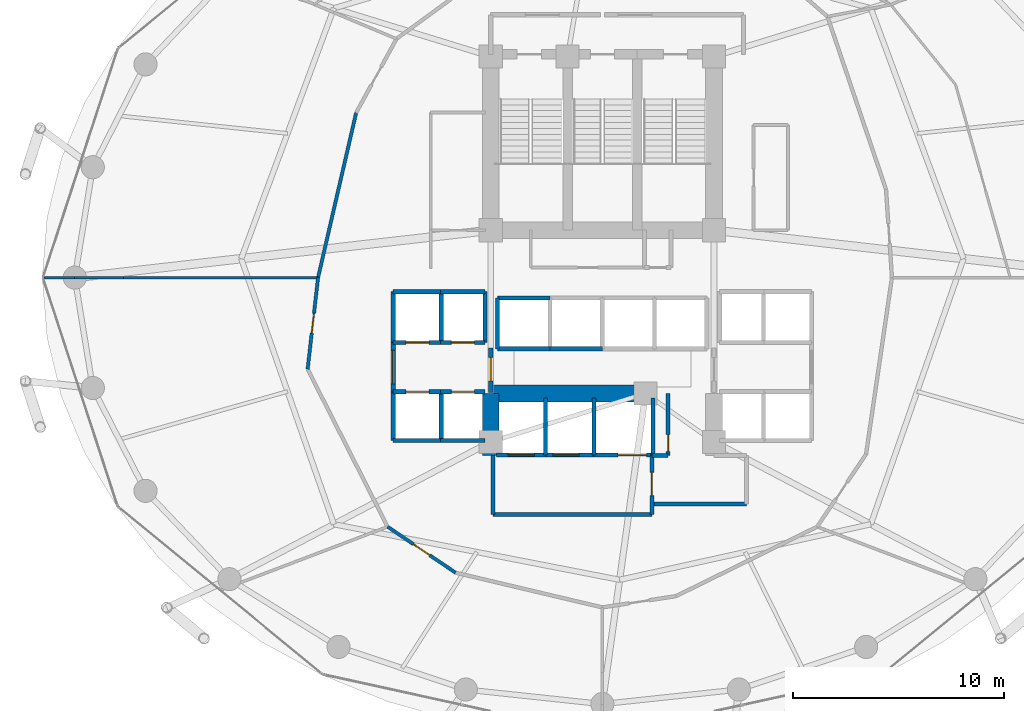
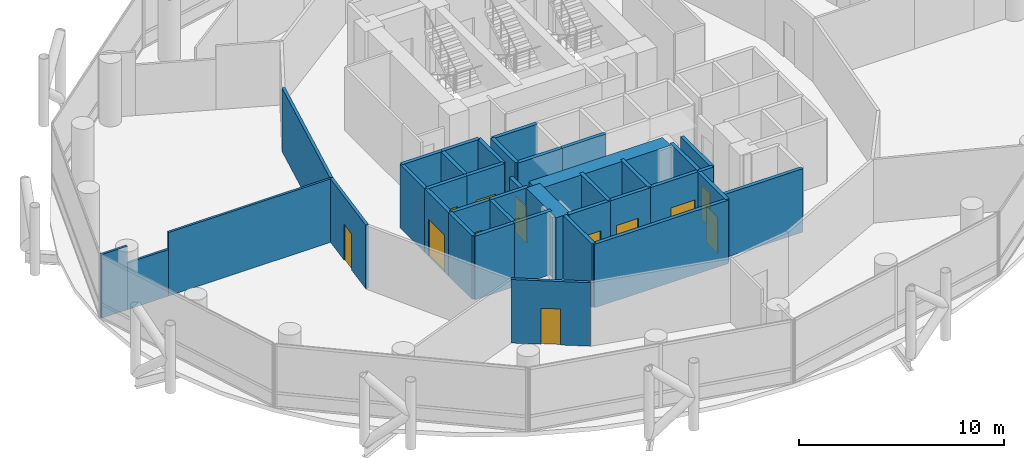
# One storey, part 21 of 25: 39 walls, 13 doors, 13 openings.
"""IFC4 building model written with IfcOpenShell, lengths in metres."""

from ifc_helpers import new_model, si_unit, direction, frame, frame_2d, origin, place, context, subcontext, project, spatial, rectangle, extrude, material, layer, layer_set, type_object, element, fill, save


model = new_model("IFC4")

# Units and contexts
model_context = context("Model", 3, precision=1e-05, world=origin(), true_north=direction((0.0, 1.0)))
body_context = subcontext(model_context, "Body", "Model", "MODEL_VIEW")
ifc_project = project(units=[si_unit("LENGTHUNIT", "METRE"), si_unit("AREAUNIT", "SQUARE_METRE"), si_unit("VOLUMEUNIT", "CUBIC_METRE"), si_unit("PLANEANGLEUNIT", "RADIAN"), si_unit("MASSUNIT", "GRAM", prefix="KILO")], contexts=[model_context])

# Site, building, storey
site_placement = place(None, origin())
site = spatial("IfcSite", under=ifc_project, at=site_placement, CompositionType="ELEMENT")
building_placement = place(site_placement, origin())
building = spatial("IfcBuilding", under=site, at=building_placement, Name="Nuhasar Tower", CompositionType="ELEMENT")
storey_placement = place(building_placement, frame((0.0, 0.0, 45.300048828125)))
storey = spatial("IfcBuildingStorey", under=building, at=storey_placement, Name="L10", CompositionType="ELEMENT", Elevation=45.300048828125)

# Walls
ifc_material_1 = material(Name="Concrete C80/95", Category="concrete")
ifc_layer_1 = layer(ifc_material_1, 0.800048828125)
ifc_layer_set_1 = layer_set([ifc_layer_1], Name="Concrete C80/95")
wall_type_1 = type_object("IfcWallType", Name="WL-CORE-800", PredefinedType="SHEAR", material=ifc_layer_set_1)
wall_1_placement = place(storey_placement, frame((33.699951171875, 18.35009765625, 0.0), z_axis=(0.0, 0.0, 1.0), x_axis=(0.0, 1.0, 0.0)))
element("IfcWall", 1, at=wall_1_placement, inside=storey, type_object=wall_type_1, Name="L10 Core Shear Wall CW-SW CW-800", PredefinedType="SHEAR", context=body_context, shape_type="SweptSolid", body=[
    extrude(rectangle(XDim=2.949951171875, YDim=0.800048828125, at=frame_2d((1.47509765625, 0.0))), origin(), (0.0, 0.0, 1.0), 3.7900390625),
])
wall_2_placement = place(storey_placement, frame((33.699951171875, 21.300048828125, 0.0), z_axis=(0.0, 0.0, 1.0), x_axis=(1.0, 0.0, 0.0)))
element("IfcWall", 2, at=wall_2_placement, inside=storey, type_object=wall_type_1, Name="L10 Core Shear Wall CW-S1 CW-800", PredefinedType="SHEAR", context=body_context, shape_type="SweptSolid", body=[
    extrude(rectangle(XDim=7.550048828125, YDim=0.800048828125, at=frame_2d((3.77490234375, 0.0))), origin(), (0.0, 0.0, 1.0), 3.7900390625),
])
ifc_material_2 = material(Name="Gypsum Board", Category="gypsum")
ifc_layer_2 = layer(ifc_material_2, 0.159912109375)
ifc_layer_set_2 = layer_set([ifc_layer_2], Name="Gypsum Board")
wall_type_2 = type_object("IfcWallType", Name="WL-CORR-160", PredefinedType="PARTITIONING", material=ifc_layer_set_2)
wall_3_placement = place(storey_placement, frame((27.30908203125, 34.6298828125, 0.0), z_axis=(0.0, 0.0, 1.0), x_axis=(-0.225119097915, -0.974331253606, 0.0)))
element("IfcWall", 3, at=wall_3_placement, inside=storey, type_object=wall_type_2, Name="L10 Interior Partition CORR-20", PredefinedType="PARTITIONING", context=body_context, shape_type="SweptSolid", body=[
    extrude(rectangle(XDim=8.0361328125, YDim=0.159912109375, at=frame_2d((4.01806640625, 0.0))), origin(), (0.0, 0.0, 1.0), 3.7900390625),
])

# Wall, opening, door
wall_4_placement = place(storey_placement, frame((25.0048828125, 22.449951171875, 0.0), z_axis=(0.0, 0.0, 1.0), x_axis=(0.113087354365, 0.993585049345, 0.0)))
wall_4 = element("IfcWall", 4, at=wall_4_placement, inside=storey, type_object=wall_type_2, Name="L10 Interior Partition CORR-24", PredefinedType="PARTITIONING", context=body_context, shape_type="SweptSolid", body=[
    extrude(rectangle(XDim=4.378173828125, YDim=0.159912109375, at=frame_2d((2.18896484375, 0.0))), origin(), (0.0, 0.0, 1.0), 3.7900390625),
])
opening_1_placement = place(wall_4_placement, frame((1.714111328125, 0.0, 0.0)))
opening_1 = element("IfcOpeningElement", 5, at=opening_1_placement, cuts=wall_4, Name="Opening DO-01", PredefinedType="OPENING", context=body_context, shape_type="SweptSolid", body=[
    extrude(rectangle(XDim=0.949951171875, YDim=2.14990234375, at=frame_2d((0.47509765625, 1.074951171875))), frame((0.0, 0.08984375, 0.0), z_axis=(0.0, -1.0, 0.0), x_axis=(1.0, 0.0, 0.0)), (0.0, 0.0, 1.0), 0.179931640625),
])
ifc_material_3 = material(Name="Timber Oak", Category="wood")
door_type_1 = type_object("IfcDoorType", Name="DR-OFFICE-FD30-950", OperationType="NOTDEFINED", PredefinedType="DOOR", material=ifc_material_3)
door_1_placement = place(opening_1_placement, origin())
door_1 = element("IfcDoor", 6, at=door_1_placement, inside=storey, type_object=door_type_1, Name="L10 Law Reference Library Entry Door", OperationType="SINGLE_SWING_LEFT", OverallHeight=2.14990234375, OverallWidth=0.949951171875, PredefinedType="DOOR", context=body_context, shape_type="SweptSolid", body=[
    extrude(rectangle(XDim=0.949951171875, YDim=2.14990234375, at=frame_2d((0.47509765625, 1.074951171875))), frame((0.0, 0.02490234375, 0.0), z_axis=(0.0, -1.0, 0.0), x_axis=(1.0, 0.0, 0.0)), (0.0, 0.0, 1.0), 0.050048828125),
])
fill(opening_1, door_1)

wall_5_placement = place(storey_placement, frame((32.027099609375, 12.7900390625, 0.0), z_axis=(0.0, 0.0, 1.0), x_axis=(-0.828570886609, 0.559884171828, 0.0)))
wall_5 = element("IfcWall", 7, at=wall_5_placement, inside=storey, type_object=wall_type_2, Name="L10 Interior Partition CORR-30", PredefinedType="PARTITIONING", context=body_context, shape_type="SweptSolid", body=[
    extrude(rectangle(XDim=3.8935546875, YDim=0.159912109375, at=frame_2d((1.94677734375, 0.0))), origin(), (0.0, 0.0, 1.0), 3.7900390625),
])
opening_2_placement = place(wall_5_placement, frame((1.471923828125, 0.0, 0.0)))
opening_2 = element("IfcOpeningElement", 8, at=opening_2_placement, cuts=wall_5, Name="Opening DO-01", PredefinedType="OPENING", context=body_context, shape_type="SweptSolid", body=[
    extrude(rectangle(XDim=0.949951171875, YDim=2.14990234375, at=frame_2d((0.47509765625, 1.074951171875))), frame((0.0, 0.08984375, 0.0), z_axis=(0.0, -1.0, 0.0), x_axis=(1.0, 0.0, 0.0)), (0.0, 0.0, 1.0), 0.179931640625),
])
door_2_placement = place(opening_2_placement, origin())
door_2 = element("IfcDoor", 9, at=door_2_placement, inside=storey, type_object=door_type_1, Name="L10 Legal Chambers C Entry Door", OperationType="SINGLE_SWING_LEFT", OverallHeight=2.14990234375, OverallWidth=0.949951171875, PredefinedType="DOOR", context=body_context, shape_type="SweptSolid", body=[
    extrude(rectangle(XDim=0.949951171875, YDim=2.14990234375, at=frame_2d((0.47509765625, 1.074951171875))), frame((0.0, 0.02490234375, 0.0), z_axis=(0.0, -1.0, 0.0), x_axis=(1.0, 0.0, 0.0)), (0.0, 0.0, 1.0), 0.050048828125),
])
fill(opening_2, door_2)

ifc_material_4 = material(Name="Concrete C45/55", Category="concrete")
ifc_layer_3 = layer(ifc_material_4, 0.199951171875)
ifc_layer_set_3 = layer_set([ifc_layer_3], Name="Concrete C45/55")
wall_type_3 = type_object("IfcWallType", Name="WL-LOBBY-200", PredefinedType="SOLIDWALL", material=ifc_layer_set_3)
wall_6_placement = place(storey_placement, frame((29.070068359375, 21.3798828125, 0.0), z_axis=(0.0, 0.0, 1.0), x_axis=(0.0, 1.0, 0.0)))
wall_6 = element("IfcWall", 10, at=wall_6_placement, inside=storey, type_object=wall_type_3, Name="L10 Interior Partition LLBL-W", PredefinedType="SOLIDWALL", context=body_context, shape_type="SweptSolid", body=[
    extrude(rectangle(XDim=2.340087890625, YDim=0.199951171875, at=frame_2d((1.169921875, 0.0))), origin(), (0.0, 0.0, 1.0), 3.7900390625),
])
opening_3_placement = place(wall_6_placement, frame((0.3701171875, 0.0, 0.0)))
opening_3 = element("IfcOpeningElement", 11, at=opening_3_placement, cuts=wall_6, Name="Opening DC-01", PredefinedType="OPENING", context=body_context, shape_type="SweptSolid", body=[
    extrude(rectangle(XDim=1.60009765625, YDim=2.199951171875, at=frame_2d((0.800048828125, 1.10009765625))), frame((0.0, 0.10986328125, 0.0), z_axis=(0.0, -1.0, 0.0), x_axis=(1.0, 0.0, 0.0)), (0.0, 0.0, 1.0), 0.219970703125),
])
ifc_material_5 = material(Name="Steel S355", Category="steel")
door_type_2 = type_object("IfcDoorType", Name="DR-CORR-FD60-1600", OperationType="DOUBLE_DOOR_SINGLE_SWING", PredefinedType="DOOR", material=ifc_material_5)
door_3_placement = place(opening_3_placement, origin())
door_3 = element("IfcDoor", 12, at=door_3_placement, inside=storey, type_object=door_type_2, Name="L10 Low-Rise Lift Lobby West Entry", OperationType="DOUBLE_DOOR_SINGLE_SWING", OverallHeight=2.199951171875, OverallWidth=1.60009765625, PredefinedType="DOOR", context=body_context, shape_type="SweptSolid", body=[
    extrude(rectangle(XDim=1.60009765625, YDim=2.199951171875, at=frame_2d((0.800048828125, 1.10009765625))), frame((0.0, 0.02490234375, 0.0), z_axis=(0.0, -1.0, 0.0), x_axis=(1.0, 0.0, 0.0)), (0.0, 0.0, 1.0), 0.050048828125),
])
fill(opening_3, door_3)

wall_7_placement = place(storey_placement, frame((33.699951171875, 21.35009765625, 0.0), z_axis=(0.0, 0.0, 1.0), x_axis=(0.0, 1.0, 0.0)))
wall_7 = element("IfcWall", 13, at=wall_7_placement, inside=storey, type_object=wall_type_3, Name="L10 Interior Partition LLBH-W", PredefinedType="SOLIDWALL", context=body_context, shape_type="SweptSolid", body=[
    extrude(rectangle(XDim=2.099853515625, YDim=0.199951171875, at=frame_2d((1.0498046875, 0.0))), origin(), (0.0, 0.0, 1.0), 3.010009765625),
])
opening_4_placement = place(wall_7_placement, frame((0.550048828125, 0.0, 0.0)))
opening_4 = element("IfcOpeningElement", 14, at=opening_4_placement, cuts=wall_7, Name="Opening DS-02", PredefinedType="OPENING", context=body_context, shape_type="SweptSolid", body=[
    extrude(rectangle(XDim=1.10009765625, YDim=2.14990234375, at=frame_2d((0.550048828125, 1.074951171875))), frame((0.0, 0.10986328125, 0.0), z_axis=(0.0, -1.0, 0.0), x_axis=(1.0, 0.0, 0.0)), (0.0, 0.0, 1.0), 0.219970703125),
])
door_type_3 = type_object("IfcDoorType", Name="DR-FFL-FD120-1100", OperationType="NOTDEFINED", PredefinedType="DOOR", material=ifc_material_5)
door_4_placement = place(opening_4_placement, origin())
door_4 = element("IfcDoor", 15, at=door_4_placement, inside=storey, type_object=door_type_3, Name="L10 High-Rise Lobby West Door", OperationType="SINGLE_SWING_RIGHT", OverallHeight=2.14990234375, OverallWidth=1.10009765625, PredefinedType="DOOR", context=body_context, shape_type="SweptSolid", body=[
    extrude(rectangle(XDim=1.10009765625, YDim=2.14990234375, at=frame_2d((0.550048828125, 1.074951171875))), frame((0.0, 0.02490234375, 0.0), z_axis=(0.0, -1.0, 0.0), x_axis=(1.0, 0.0, 0.0)), (0.0, 0.0, 1.0), 0.050048828125),
])
fill(opening_4, door_4)

# Walls
wall_8_placement = place(storey_placement, frame((33.800048828125, 15.550048828125, 0.0), z_axis=(0.0, 0.0, 1.0), x_axis=(1.0, 0.0, 0.0)))
element("IfcWall", 16, at=wall_8_placement, inside=storey, type_object=wall_type_3, Name="L10 Interior Partition FFL-S", PredefinedType="SOLIDWALL", context=body_context, shape_type="SweptSolid", body=[
    extrude(rectangle(XDim=7.550048828125, YDim=0.199951171875, at=frame_2d((3.77490234375, 0.0))), origin(), (0.0, 0.0, 1.0), 3.7900390625),
])
wall_9_placement = place(storey_placement, frame((33.800048828125, 15.550048828125, 0.0), z_axis=(0.0, 0.0, 1.0), x_axis=(0.0, 1.0, 0.0)))
element("IfcWall", 17, at=wall_9_placement, inside=storey, type_object=wall_type_3, Name="L10 Interior Partition FFL-W", PredefinedType="SOLIDWALL", context=body_context, shape_type="SweptSolid", body=[
    extrude(rectangle(XDim=2.800048828125, YDim=0.199951171875, at=frame_2d((1.39990234375, 0.0))), origin(), (0.0, 0.0, 1.0), 3.7900390625),
])

# Wall, opening, door
wall_10_placement = place(storey_placement, frame((41.35009765625, 15.550048828125, 0.0), z_axis=(0.0, 0.0, 1.0), x_axis=(0.0, 1.0, 0.0)))
wall_10 = element("IfcWall", 18, at=wall_10_placement, inside=storey, type_object=wall_type_3, Name="L10 Interior Partition FFL-E", PredefinedType="SOLIDWALL", context=body_context, shape_type="SweptSolid", body=[
    extrude(rectangle(XDim=2.800048828125, YDim=0.199951171875, at=frame_2d((1.39990234375, 0.0))), origin(), (0.0, 0.0, 1.0), 3.7900390625),
])
opening_5_placement = place(wall_10_placement, frame((0.89990234375, 0.0, 0.0)))
opening_5 = element("IfcOpeningElement", 19, at=opening_5_placement, cuts=wall_10, Name="Opening DS-02", PredefinedType="OPENING", context=body_context, shape_type="SweptSolid", body=[
    extrude(rectangle(XDim=1.10009765625, YDim=2.14990234375, at=frame_2d((0.550048828125, 1.074951171875))), frame((0.0, 0.10986328125, 0.0), z_axis=(0.0, -1.0, 0.0), x_axis=(1.0, 0.0, 0.0)), (0.0, 0.0, 1.0), 0.219970703125),
])
door_5_placement = place(opening_5_placement, origin())
door_5 = element("IfcDoor", 20, at=door_5_placement, inside=storey, type_object=door_type_3, Name="L10 Firefighting Lobby Door", OperationType="SINGLE_SWING_RIGHT", OverallHeight=2.14990234375, OverallWidth=1.10009765625, PredefinedType="DOOR", context=body_context, shape_type="SweptSolid", body=[
    extrude(rectangle(XDim=1.10009765625, YDim=2.14990234375, at=frame_2d((0.550048828125, 1.074951171875))), frame((0.0, 0.02490234375, 0.0), z_axis=(0.0, -1.0, 0.0), x_axis=(1.0, 0.0, 0.0)), (0.0, 0.0, 1.0), 0.050048828125),
])
fill(opening_5, door_5)

# Walls
wall_11_placement = place(storey_placement, frame((41.35009765625, 16.050048828125, 0.0), z_axis=(0.0, 0.0, 1.0), x_axis=(1.0, 0.0, 0.0)))
element("IfcWall", 21, at=wall_11_placement, inside=storey, type_object=wall_type_3, Name="L10 Interior Partition SVLV-S", PredefinedType="SOLIDWALL", context=body_context, shape_type="SweptSolid", body=[
    extrude(rectangle(XDim=4.5, YDim=0.199951171875, at=frame_2d((2.25, 0.0))), origin(), (0.0, 0.0, 1.0), 3.7900390625),
])
ifc_layer_4 = layer(ifc_material_2, 0.125)
ifc_layer_set_4 = layer_set([ifc_layer_4], Name="Gypsum Board")
wall_type_4 = type_object("IfcWallType", Name="WL-PART-125", PredefinedType="PARTITIONING", material=ifc_layer_set_4)
wall_12_placement = place(storey_placement, frame((25.5, 26.800048828125, 0.0), z_axis=(0.0, 0.0, 1.0), x_axis=(-1.0, 0.0, 0.0)))
element("IfcWall", 22, at=wall_12_placement, inside=storey, type_object=wall_type_4, Name="L10 Interior Partition ORAD-24", PredefinedType="PARTITIONING", context=body_context, shape_type="SweptSolid", body=[
    extrude(rectangle(XDim=9.22998046875, YDim=0.125, at=frame_2d((4.614990234375, 0.0))), origin(), (0.0, 0.0, 1.0), 3.7900390625),
])
wall_13_placement = place(storey_placement, frame((16.27001953125, 26.800048828125, 0.0), z_axis=(0.0, 0.0, 1.0), x_axis=(-1.0, 0.0, 0.0)))
element("IfcWall", 23, at=wall_13_placement, inside=storey, type_object=wall_type_4, Name="L10 Interior Partition ORAD-24", PredefinedType="PARTITIONING", context=body_context, shape_type="SweptSolid", body=[
    extrude(rectangle(XDim=2.326904296875, YDim=0.125, at=frame_2d((1.16357421875, 0.0))), origin(), (0.0, 0.0, 1.0), 2.780029296875),
])
wall_14_placement = place(storey_placement, frame((13.943115234375, 26.800048828125, 0.0), z_axis=(0.0, 0.0, 1.0), x_axis=(-1.0, 0.0, 0.0)))
element("IfcWall", 24, at=wall_14_placement, inside=storey, type_object=wall_type_4, Name="L10 Interior Partition ORAD-24", PredefinedType="PARTITIONING", context=body_context, shape_type="SweptSolid", body=[
    extrude(rectangle(XDim=1.468017578125, YDim=0.125, at=frame_2d((0.73388671875, 0.0))), origin(), (0.0, 0.0, 1.0), 3.7900390625),
])

# Wall, opening, door
ifc_layer_5 = layer(ifc_material_4, 0.199951171875)
ifc_layer_set_5 = layer_set([ifc_layer_5], Name="Concrete C45/55")
wall_type_5 = type_object("IfcWallType", Name="WL-SHAFT-200", PredefinedType="SOLIDWALL", material=ifc_layer_set_5)
wall_15_placement = place(storey_placement, frame((29.070068359375, 23.719970703125, 0.0), z_axis=(0.0, 0.0, 1.0), x_axis=(1.0, 0.0, 0.0)))
wall_15 = element("IfcWall", 25, at=wall_15_placement, inside=storey, type_object=wall_type_5, Name="L10 Interior Partition SHF-PL-L01-S", PredefinedType="SOLIDWALL", context=body_context, shape_type="SweptSolid", body=[
    extrude(rectangle(XDim=2.309814453125, YDim=0.199951171875, at=frame_2d((1.15478515625, 0.0))), origin(), (0.0, 0.0, 1.0), 3.7900390625),
])
opening_6_placement = place(wall_15_placement, frame((0.60498046875, 0.0, 0.0)))
opening_6 = element("IfcOpeningElement", 26, at=opening_6_placement, cuts=wall_15, Name="Opening LD-L01", PredefinedType="OPENING", context=body_context, shape_type="SweptSolid", body=[
    extrude(rectangle(XDim=1.10009765625, YDim=2.14990234375, at=frame_2d((0.550048828125, 1.074951171875))), frame((0.0, 0.10986328125, 0.0), z_axis=(0.0, -1.0, 0.0), x_axis=(1.0, 0.0, 0.0)), (0.0, 0.0, 1.0), 0.219970703125),
])
ifc_material_6 = material(Name="Stainless Steel 316L", Category="steel")
door_type_4 = type_object("IfcDoorType", Name="LD-PAX-1100", OperationType="DOUBLE_DOOR_SLIDING", PredefinedType="DOOR", material=ifc_material_6)
door_6_placement = place(opening_6_placement, origin())
door_6 = element("IfcDoor", 27, at=door_6_placement, inside=storey, type_object=door_type_4, Name="L10 Lift Landing Door PL-L01", OperationType="DOUBLE_DOOR_SLIDING", OverallHeight=2.14990234375, OverallWidth=1.10009765625, PredefinedType="DOOR", context=body_context, shape_type="SweptSolid", body=[
    extrude(rectangle(XDim=1.10009765625, YDim=2.14990234375, at=frame_2d((0.550048828125, 1.074951171875))), frame((0.0, 0.02490234375, 0.0), z_axis=(0.0, -1.0, 0.0), x_axis=(1.0, 0.0, 0.0)), (0.0, 0.0, 1.0), 0.050048828125),
])
fill(opening_6, door_6)

# Walls
wall_16_placement = place(storey_placement, frame((29.070068359375, 26.1298828125, 0.0), z_axis=(0.0, 0.0, 1.0), x_axis=(1.0, 0.0, 0.0)))
element("IfcWall", 28, at=wall_16_placement, inside=storey, type_object=wall_type_5, Name="L10 Interior Partition SHF-PL-L01-N", PredefinedType="SOLIDWALL", context=body_context, shape_type="SweptSolid", body=[
    extrude(rectangle(XDim=2.309814453125, YDim=0.199951171875, at=frame_2d((1.15478515625, 0.0))), origin(), (0.0, 0.0, 1.0), 3.7900390625),
])
for number, where, z_axis, x_axis, name in (
    (29, (29.070068359375, 23.719970703125, 0.0), (0.0, 0.0, 1.0), (0.0, 1.0, 0.0), "L10 Interior Partition SHF-PL-L01-W"),
    (30, (31.35009765625, 23.719970703125, 0.0), (0.0, 0.0, 1.0), (0.0, 1.0, 0.0), "L10 Interior Partition SHF-PL-L01-E"),
):
    element("IfcWall", number, at=place(storey_placement, frame(where, z_axis=z_axis, x_axis=x_axis)), inside=storey, type_object=wall_type_5, Name=name, PredefinedType="SOLIDWALL", context=body_context, shape_type="SweptSolid", body=[
        extrude(rectangle(XDim=2.409912109375, YDim=0.199951171875, at=frame_2d((1.205078125, 0.0))), origin(), (0.0, 0.0, 1.0), 3.7900390625),
    ])

# Wall, opening, door
wall_17_placement = place(storey_placement, frame((31.320068359375, 23.719970703125, 0.0), z_axis=(0.0, 0.0, 1.0), x_axis=(1.0, 0.0, 0.0)))
wall_17 = element("IfcWall", 31, at=wall_17_placement, inside=storey, type_object=wall_type_5, Name="L10 Interior Partition SHF-PL-L02-S", PredefinedType="SOLIDWALL", context=body_context, shape_type="SweptSolid", body=[
    extrude(rectangle(XDim=2.10986328125, YDim=0.199951171875, at=frame_2d((1.054931640625, 0.0))), origin(), (0.0, 0.0, 1.0), 3.7900390625),
])
opening_7_placement = place(wall_17_placement, frame((0.5048828125, 0.0, 0.0)))
opening_7 = element("IfcOpeningElement", 32, at=opening_7_placement, cuts=wall_17, Name="Opening LD-L02", PredefinedType="OPENING", context=body_context, shape_type="SweptSolid", body=[
    extrude(rectangle(XDim=1.10009765625, YDim=2.14990234375, at=frame_2d((0.550048828125, 1.074951171875))), frame((0.0, 0.10986328125, 0.0), z_axis=(0.0, -1.0, 0.0), x_axis=(1.0, 0.0, 0.0)), (0.0, 0.0, 1.0), 0.219970703125),
])
door_7_placement = place(opening_7_placement, origin())
door_7 = element("IfcDoor", 33, at=door_7_placement, inside=storey, type_object=door_type_4, Name="L10 Lift Landing Door PL-L02", OperationType="DOUBLE_DOOR_SLIDING", OverallHeight=2.14990234375, OverallWidth=1.10009765625, PredefinedType="DOOR", context=body_context, shape_type="SweptSolid", body=[
    extrude(rectangle(XDim=1.10009765625, YDim=2.14990234375, at=frame_2d((0.550048828125, 1.074951171875))), frame((0.0, 0.02490234375, 0.0), z_axis=(0.0, -1.0, 0.0), x_axis=(1.0, 0.0, 0.0)), (0.0, 0.0, 1.0), 0.050048828125),
])
fill(opening_7, door_7)

# Walls
wall_18_placement = place(storey_placement, frame((31.320068359375, 26.1298828125, 0.0), z_axis=(0.0, 0.0, 1.0), x_axis=(1.0, 0.0, 0.0)))
element("IfcWall", 34, at=wall_18_placement, inside=storey, type_object=wall_type_5, Name="L10 Interior Partition SHF-PL-L02-N", PredefinedType="SOLIDWALL", context=body_context, shape_type="SweptSolid", body=[
    extrude(rectangle(XDim=2.10986328125, YDim=0.199951171875, at=frame_2d((1.054931640625, 0.0))), origin(), (0.0, 0.0, 1.0), 3.7900390625),
])
wall_19_placement = place(storey_placement, frame((33.429931640625, 23.719970703125, 0.0), z_axis=(0.0, 0.0, 1.0), x_axis=(0.0, 1.0, 0.0)))
element("IfcWall", 35, at=wall_19_placement, inside=storey, type_object=wall_type_5, Name="L10 Interior Partition SHF-PL-L02-E", PredefinedType="SOLIDWALL", context=body_context, shape_type="SweptSolid", body=[
    extrude(rectangle(XDim=2.409912109375, YDim=0.199951171875, at=frame_2d((1.205078125, 0.0))), origin(), (0.0, 0.0, 1.0), 3.7900390625),
])
wall_20_placement = place(storey_placement, frame((29.070068359375, 19.070068359375, 0.0), z_axis=(0.0, 0.0, 1.0), x_axis=(1.0, 0.0, 0.0)))
element("IfcWall", 36, at=wall_20_placement, inside=storey, type_object=wall_type_5, Name="L10 Interior Partition SHF-PL-L03-S", PredefinedType="SOLIDWALL", context=body_context, shape_type="SweptSolid", body=[
    extrude(rectangle(XDim=2.309814453125, YDim=0.199951171875, at=frame_2d((1.15478515625, 0.0))), origin(), (0.0, 0.0, 1.0), 3.7900390625),
])

# Wall, opening, door
wall_21_placement = place(storey_placement, frame((29.070068359375, 21.3798828125, 0.0), z_axis=(0.0, 0.0, 1.0), x_axis=(1.0, 0.0, 0.0)))
wall_21 = element("IfcWall", 37, at=wall_21_placement, inside=storey, type_object=wall_type_5, Name="L10 Interior Partition SHF-PL-L03-N", PredefinedType="SOLIDWALL", context=body_context, shape_type="SweptSolid", body=[
    extrude(rectangle(XDim=2.309814453125, YDim=0.199951171875, at=frame_2d((1.15478515625, 0.0))), origin(), (0.0, 0.0, 1.0), 3.7900390625),
])
opening_8_placement = place(wall_21_placement, frame((0.60498046875, 0.0, 0.0)))
opening_8 = element("IfcOpeningElement", 38, at=opening_8_placement, cuts=wall_21, Name="Opening LD-L03", PredefinedType="OPENING", context=body_context, shape_type="SweptSolid", body=[
    extrude(rectangle(XDim=1.10009765625, YDim=2.14990234375, at=frame_2d((0.550048828125, 1.074951171875))), frame((0.0, 0.10986328125, 0.0), z_axis=(0.0, -1.0, 0.0), x_axis=(1.0, 0.0, 0.0)), (0.0, 0.0, 1.0), 0.219970703125),
])
door_8_placement = place(opening_8_placement, origin())
door_8 = element("IfcDoor", 39, at=door_8_placement, inside=storey, type_object=door_type_4, Name="L10 Lift Landing Door PL-L03", OperationType="DOUBLE_DOOR_SLIDING", OverallHeight=2.14990234375, OverallWidth=1.10009765625, PredefinedType="DOOR", context=body_context, shape_type="SweptSolid", body=[
    extrude(rectangle(XDim=1.10009765625, YDim=2.14990234375, at=frame_2d((0.550048828125, 1.074951171875))), frame((0.0, 0.02490234375, 0.0), z_axis=(0.0, -1.0, 0.0), x_axis=(1.0, 0.0, 0.0)), (0.0, 0.0, 1.0), 0.050048828125),
])
fill(opening_8, door_8)

# Walls
for number, where, z_axis, x_axis, name in (
    (40, (29.070068359375, 19.070068359375, 0.0), (0.0, 0.0, 1.0), (0.0, 1.0, 0.0), "L10 Interior Partition SHF-PL-L03-W"),
    (41, (31.35009765625, 19.070068359375, 0.0), (0.0, 0.0, 1.0), (0.0, 1.0, 0.0), "L10 Interior Partition SHF-PL-L03-E"),
):
    element("IfcWall", number, at=place(storey_placement, frame(where, z_axis=z_axis, x_axis=x_axis)), inside=storey, type_object=wall_type_5, Name=name, PredefinedType="SOLIDWALL", context=body_context, shape_type="SweptSolid", body=[
        extrude(rectangle(XDim=2.309814453125, YDim=0.199951171875, at=frame_2d((1.15478515625, 0.0))), origin(), (0.0, 0.0, 1.0), 3.7900390625),
    ])
wall_22_placement = place(storey_placement, frame((31.320068359375, 19.070068359375, 0.0), z_axis=(0.0, 0.0, 1.0), x_axis=(1.0, 0.0, 0.0)))
element("IfcWall", 42, at=wall_22_placement, inside=storey, type_object=wall_type_5, Name="L10 Interior Partition SHF-PL-L04-S", PredefinedType="SOLIDWALL", context=body_context, shape_type="SweptSolid", body=[
    extrude(rectangle(XDim=2.10986328125, YDim=0.199951171875, at=frame_2d((1.054931640625, 0.0))), origin(), (0.0, 0.0, 1.0), 3.7900390625),
])

# Wall, opening, door
wall_23_placement = place(storey_placement, frame((31.320068359375, 21.3798828125, 0.0), z_axis=(0.0, 0.0, 1.0), x_axis=(1.0, 0.0, 0.0)))
wall_23 = element("IfcWall", 43, at=wall_23_placement, inside=storey, type_object=wall_type_5, Name="L10 Interior Partition SHF-PL-L04-N", PredefinedType="SOLIDWALL", context=body_context, shape_type="SweptSolid", body=[
    extrude(rectangle(XDim=2.10986328125, YDim=0.199951171875, at=frame_2d((1.054931640625, 0.0))), origin(), (0.0, 0.0, 1.0), 3.7900390625),
])
opening_9_placement = place(wall_23_placement, frame((0.5048828125, 0.0, 0.0)))
opening_9 = element("IfcOpeningElement", 44, at=opening_9_placement, cuts=wall_23, Name="Opening LD-L04", PredefinedType="OPENING", context=body_context, shape_type="SweptSolid", body=[
    extrude(rectangle(XDim=1.10009765625, YDim=2.14990234375, at=frame_2d((0.550048828125, 1.074951171875))), frame((0.0, 0.10986328125, 0.0), z_axis=(0.0, -1.0, 0.0), x_axis=(1.0, 0.0, 0.0)), (0.0, 0.0, 1.0), 0.219970703125),
])
door_9_placement = place(opening_9_placement, origin())
door_9 = element("IfcDoor", 45, at=door_9_placement, inside=storey, type_object=door_type_4, Name="L10 Lift Landing Door PL-L04", OperationType="DOUBLE_DOOR_SLIDING", OverallHeight=2.14990234375, OverallWidth=1.10009765625, PredefinedType="DOOR", context=body_context, shape_type="SweptSolid", body=[
    extrude(rectangle(XDim=1.10009765625, YDim=2.14990234375, at=frame_2d((0.550048828125, 1.074951171875))), frame((0.0, 0.02490234375, 0.0), z_axis=(0.0, -1.0, 0.0), x_axis=(1.0, 0.0, 0.0)), (0.0, 0.0, 1.0), 0.050048828125),
])
fill(opening_9, door_9)

# Walls
for number, where, z_axis, x_axis, name in (
    (46, (34.02001953125, 23.419921875, 0.0), (0.0, 0.0, 1.0), (1.0, 0.0, 0.0), "L10 Interior Partition SHF-PL-H01-S"),
    (47, (34.02001953125, 25.830078125, 0.0), (0.0, 0.0, 1.0), (1.0, 0.0, 0.0), "L10 Interior Partition SHF-PL-H01-N"),
):
    element("IfcWall", number, at=place(storey_placement, frame(where, z_axis=z_axis, x_axis=x_axis)), inside=storey, type_object=wall_type_5, Name=name, PredefinedType="SOLIDWALL", context=body_context, shape_type="SweptSolid", body=[
        extrude(rectangle(XDim=2.5, YDim=0.199951171875, at=frame_2d((1.25, 0.0))), origin(), (0.0, 0.0, 1.0), 3.7900390625),
    ])
wall_24_placement = place(storey_placement, frame((34.02001953125, 23.419921875, 0.0), z_axis=(0.0, 0.0, 1.0), x_axis=(0.0, 1.0, 0.0)))
element("IfcWall", 48, at=wall_24_placement, inside=storey, type_object=wall_type_5, Name="L10 Interior Partition SHF-PL-H01-W", PredefinedType="SOLIDWALL", context=body_context, shape_type="SweptSolid", body=[
    extrude(rectangle(XDim=2.41015625, YDim=0.199951171875, at=frame_2d((1.205078125, 0.0))), origin(), (0.0, 0.0, 1.0), 3.7900390625),
])
wall_25_placement = place(storey_placement, frame((36.5, 23.419921875, 0.0), z_axis=(0.0, 0.0, 1.0), x_axis=(1.0, 0.0, 0.0)))
element("IfcWall", 49, at=wall_25_placement, inside=storey, type_object=wall_type_5, Name="L10 Interior Partition SHF-PL-H02-S", PredefinedType="SOLIDWALL", context=body_context, shape_type="SweptSolid", body=[
    extrude(rectangle(XDim=2.5, YDim=0.199951171875, at=frame_2d((1.25, 0.0))), origin(), (0.0, 0.0, 1.0), 3.7900390625),
])

# Wall, opening, door
wall_26_placement = place(storey_placement, frame((33.969970703125, 18.3701171875, 0.0), z_axis=(0.0, 0.0, 1.0), x_axis=(1.0, 0.0, 0.0)))
wall_26 = element("IfcWall", 50, at=wall_26_placement, inside=storey, type_object=wall_type_5, Name="L10 Interior Partition SHF-FFL-01-S", PredefinedType="SOLIDWALL", context=body_context, shape_type="SweptSolid", body=[
    extrude(rectangle(XDim=2.360107421875, YDim=0.199951171875, at=frame_2d((1.18017578125, 0.0))), origin(), (0.0, 0.0, 1.0), 3.7900390625),
])
opening_10_placement = place(wall_26_placement, frame((0.554931640625, 0.0, 0.0)))
opening_10 = element("IfcOpeningElement", 51, at=opening_10_placement, cuts=wall_26, Name="Opening LD-F01", PredefinedType="OPENING", context=body_context, shape_type="SweptSolid", body=[
    extrude(rectangle(XDim=1.25, YDim=2.199951171875, at=frame_2d((0.625, 1.10009765625))), frame((0.0, 0.10986328125, 0.0), z_axis=(0.0, -1.0, 0.0), x_axis=(1.0, 0.0, 0.0)), (0.0, 0.0, 1.0), 0.219970703125),
])
door_type_5 = type_object("IfcDoorType", Name="LD-FFL-1250", OperationType="DOUBLE_DOOR_SLIDING", PredefinedType="DOOR", material=ifc_material_6)
door_10_placement = place(opening_10_placement, origin())
door_10 = element("IfcDoor", 52, at=door_10_placement, inside=storey, type_object=door_type_5, Name="L10 Lift Landing Door FFL-01", OperationType="DOUBLE_DOOR_SLIDING", OverallHeight=2.199951171875, OverallWidth=1.25, PredefinedType="DOOR", context=body_context, shape_type="SweptSolid", body=[
    extrude(rectangle(XDim=1.25, YDim=2.199951171875, at=frame_2d((0.625, 1.10009765625))), frame((0.0, 0.02490234375, 0.0), z_axis=(0.0, -1.0, 0.0), x_axis=(1.0, 0.0, 0.0)), (0.0, 0.0, 1.0), 0.050048828125),
])
fill(opening_10, door_10)

# Wall
wall_27_placement = place(storey_placement, frame((36.300048828125, 18.3701171875, 0.0), z_axis=(0.0, 0.0, 1.0), x_axis=(0.0, 1.0, 0.0)))
element("IfcWall", 53, at=wall_27_placement, inside=storey, type_object=wall_type_5, Name="L10 Interior Partition SHF-FFL-01-E", PredefinedType="SOLIDWALL", context=body_context, shape_type="SweptSolid", body=[
    extrude(rectangle(XDim=2.7099609375, YDim=0.199951171875, at=frame_2d((1.35498046875, 0.0))), origin(), (0.0, 0.0, 1.0), 3.7900390625),
])

# Wall, opening, door
wall_28_placement = place(storey_placement, frame((36.27001953125, 18.3701171875, 0.0), z_axis=(0.0, 0.0, 1.0), x_axis=(1.0, 0.0, 0.0)))
wall_28 = element("IfcWall", 54, at=wall_28_placement, inside=storey, type_object=wall_type_5, Name="L10 Interior Partition SHF-FFL-02-S", PredefinedType="SOLIDWALL", context=body_context, shape_type="SweptSolid", body=[
    extrude(rectangle(XDim=2.35986328125, YDim=0.199951171875, at=frame_2d((1.179931640625, 0.0))), origin(), (0.0, 0.0, 1.0), 3.7900390625),
])
opening_11_placement = place(wall_28_placement, frame((0.3798828125, 0.0, 0.0)))
opening_11 = element("IfcOpeningElement", 55, at=opening_11_placement, cuts=wall_28, Name="Opening LD-F02", PredefinedType="OPENING", context=body_context, shape_type="SweptSolid", body=[
    extrude(rectangle(XDim=1.25, YDim=2.199951171875, at=frame_2d((0.625, 1.10009765625))), frame((0.0, 0.10986328125, 0.0), z_axis=(0.0, -1.0, 0.0), x_axis=(1.0, 0.0, 0.0)), (0.0, 0.0, 1.0), 0.219970703125),
])
door_11_placement = place(opening_11_placement, origin())
door_11 = element("IfcDoor", 56, at=door_11_placement, inside=storey, type_object=door_type_5, Name="L10 Lift Landing Door FFL-02", OperationType="DOUBLE_DOOR_SLIDING", OverallHeight=2.199951171875, OverallWidth=1.25, PredefinedType="DOOR", context=body_context, shape_type="SweptSolid", body=[
    extrude(rectangle(XDim=1.25, YDim=2.199951171875, at=frame_2d((0.625, 1.10009765625))), frame((0.0, 0.02490234375, 0.0), z_axis=(0.0, -1.0, 0.0), x_axis=(1.0, 0.0, 0.0)), (0.0, 0.0, 1.0), 0.050048828125),
])
fill(opening_11, door_11)

# Wall
wall_29_placement = place(storey_placement, frame((38.60009765625, 18.3701171875, 0.0), z_axis=(0.0, 0.0, 1.0), x_axis=(0.0, 1.0, 0.0)))
element("IfcWall", 57, at=wall_29_placement, inside=storey, type_object=wall_type_5, Name="L10 Interior Partition SHF-FFL-02-E", PredefinedType="SOLIDWALL", context=body_context, shape_type="SweptSolid", body=[
    extrude(rectangle(XDim=2.7099609375, YDim=0.199951171875, at=frame_2d((1.35498046875, 0.0))), origin(), (0.0, 0.0, 1.0), 3.7900390625),
])

# Wall, opening, door
wall_30_placement = place(storey_placement, frame((38.570068359375, 18.3701171875, 0.0), z_axis=(0.0, 0.0, 1.0), x_axis=(1.0, 0.0, 0.0)))
wall_30 = element("IfcWall", 58, at=wall_30_placement, inside=storey, type_object=wall_type_5, Name="L10 Interior Partition SHF-SVL-01-S", PredefinedType="SOLIDWALL", context=body_context, shape_type="SweptSolid", body=[
    extrude(rectangle(XDim=2.829833984375, YDim=0.199951171875, at=frame_2d((1.4150390625, 0.0))), origin(), (0.0, 0.0, 1.0), 3.7900390625),
])
opening_12_placement = place(wall_30_placement, frame((1.179931640625, 0.0, 0.0)))
opening_12 = element("IfcOpeningElement", 59, at=opening_12_placement, cuts=wall_30, Name="Opening LD-S01", PredefinedType="OPENING", context=body_context, shape_type="SweptSolid", body=[
    extrude(rectangle(XDim=1.35009765625, YDim=2.179931640625, at=frame_2d((0.675048828125, 1.08984375))), frame((0.0, 0.10986328125, 0.0), z_axis=(0.0, -1.0, 0.0), x_axis=(1.0, 0.0, 0.0)), (0.0, 0.0, 1.0), 0.219970703125),
])
door_type_6 = type_object("IfcDoorType", Name="LD-SVL-1350", OperationType="DOUBLE_DOOR_SLIDING", PredefinedType="DOOR", material=ifc_material_6)
door_12_placement = place(opening_12_placement, origin())
door_12 = element("IfcDoor", 60, at=door_12_placement, inside=storey, type_object=door_type_6, Name="L10 Lift Landing Door SVL-01", OperationType="DOUBLE_DOOR_SLIDING", OverallHeight=2.179931640625, OverallWidth=1.35009765625, PredefinedType="DOOR", context=body_context, shape_type="SweptSolid", body=[
    extrude(rectangle(XDim=1.35009765625, YDim=2.179931640625, at=frame_2d((0.675048828125, 1.08984375))), frame((0.0, 0.02490234375, 0.0), z_axis=(0.0, -1.0, 0.0), x_axis=(1.0, 0.0, 0.0)), (0.0, 0.0, 1.0), 0.050048828125),
])
fill(opening_12, door_12)

# Wall
wall_31_placement = place(storey_placement, frame((41.39990234375, 18.3701171875, 0.0), z_axis=(0.0, 0.0, 1.0), x_axis=(0.0, 1.0, 0.0)))
element("IfcWall", 61, at=wall_31_placement, inside=storey, type_object=wall_type_5, Name="L10 Interior Partition SHF-SVL-01-E", PredefinedType="SOLIDWALL", context=body_context, shape_type="SweptSolid", body=[
    extrude(rectangle(XDim=2.7099609375, YDim=0.199951171875, at=frame_2d((1.35498046875, 0.0))), origin(), (0.0, 0.0, 1.0), 3.7900390625),
])

# Wall, opening, door
wall_32_placement = place(storey_placement, frame((42.1201171875, 18.35009765625, 0.0), z_axis=(0.0, 0.0, 1.0), x_axis=(0.0, 1.0, 0.0)))
wall_32 = element("IfcWall", 62, at=wall_32_placement, inside=storey, type_object=wall_type_5, Name="L10 Interior Partition RSR-E", PredefinedType="SOLIDWALL", context=body_context, shape_type="SweptSolid", body=[
    extrude(rectangle(XDim=2.949951171875, YDim=0.199951171875, at=frame_2d((1.47509765625, 0.0))), origin(), (0.0, 0.0, 1.0), 3.7900390625),
])
opening_13_placement = place(wall_32_placement, frame((0.199951171875, 0.0, 0.0)))
opening_13 = element("IfcOpeningElement", 63, at=opening_13_placement, cuts=wall_32, Name="Opening DM-01", PredefinedType="OPENING", context=body_context, shape_type="SweptSolid", body=[
    extrude(rectangle(XDim=0.800048828125, YDim=2.050048828125, at=frame_2d((0.39990234375, 1.02490234375))), frame((0.0, 0.10986328125, 0.0), z_axis=(0.0, -1.0, 0.0), x_axis=(1.0, 0.0, 0.0)), (0.0, 0.0, 1.0), 0.219970703125),
])
door_type_7 = type_object("IfcDoorType", Name="DR-RISER-FD60-800", OperationType="NOTDEFINED", PredefinedType="DOOR", material=ifc_material_5)
door_13_placement = place(opening_13_placement, origin())
door_13 = element("IfcDoor", 64, at=door_13_placement, inside=storey, type_object=door_type_7, Name="L10 MEP Riser Access Door", OperationType="SINGLE_SWING_LEFT", OverallHeight=2.050048828125, OverallWidth=0.800048828125, PredefinedType="DOOR", context=body_context, shape_type="SweptSolid", body=[
    extrude(rectangle(XDim=0.800048828125, YDim=2.050048828125, at=frame_2d((0.39990234375, 1.02490234375))), frame((0.0, 0.02490234375, 0.0), z_axis=(0.0, -1.0, 0.0), x_axis=(1.0, 0.0, 0.0)), (0.0, 0.0, 1.0), 0.050048828125),
])
fill(opening_13, door_13)

# Wall
wall_33_placement = place(storey_placement, frame((41.35009765625, 18.35009765625, 0.0), z_axis=(0.0, 0.0, 1.0), x_axis=(1.0, 0.0, 0.0)))
element("IfcWall", 65, at=wall_33_placement, inside=storey, type_object=wall_type_5, Name="L10 Interior Partition RSR-S", PredefinedType="SOLIDWALL", context=body_context, shape_type="SweptSolid", body=[
    extrude(rectangle(XDim=0.77001953125, YDim=0.199951171875, at=frame_2d((0.385009765625, 0.0))), origin(), (0.0, 0.0, 1.0), 3.7900390625),
])

save(model, "model.ifc")
